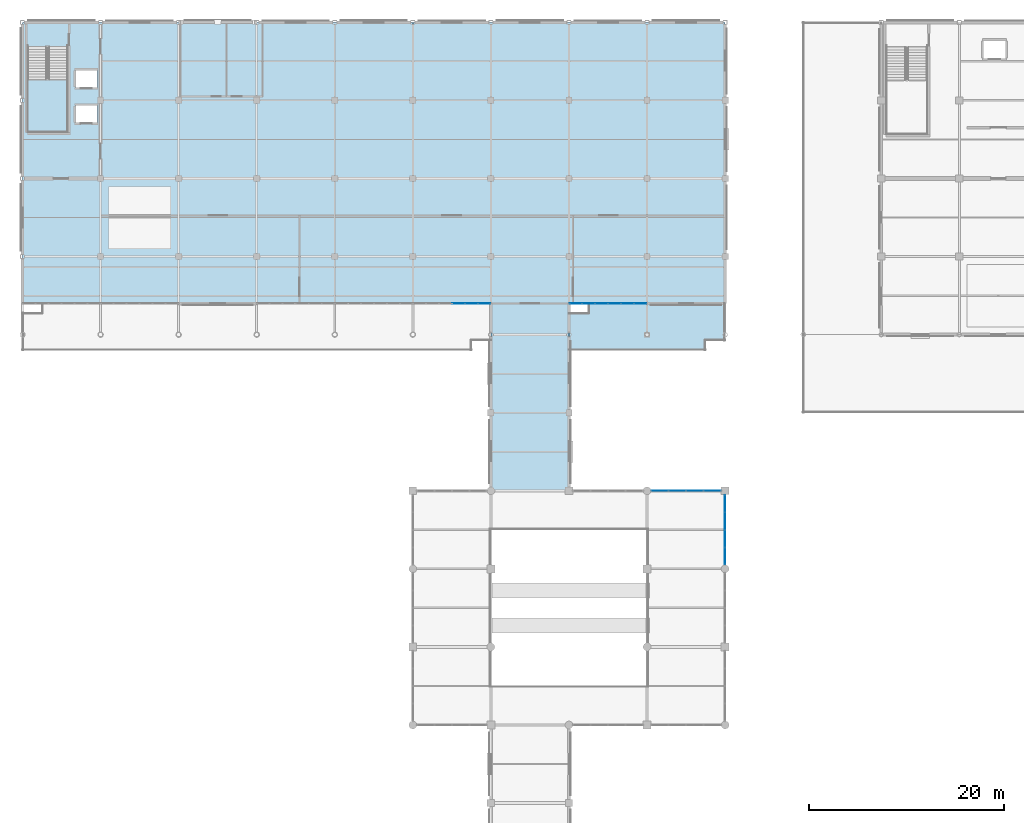
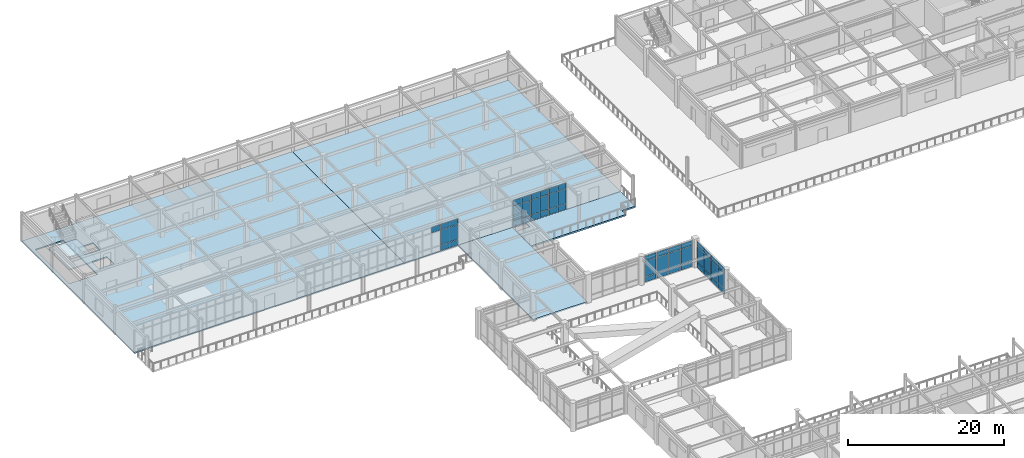
# One storey, part 52 of 75: 49 plates, 5 slabs, 5 elements without a shape of their own.
"""IFC4 building model written with IfcOpenShell, lengths in metres."""

from ifc_helpers import new_model, si_unit, direction, frame, origin, origin_2d, place, context, subcontext, project, spatial, polyline, rectangle, outline, extrude, material, layer, layer_set, type_object, element, aggregate, save


model = new_model("IFC4")

# Units and contexts
model_context = context("Model", 3, precision=1e-05, world=origin(), true_north=direction((0.0, 1.0)))
body_context = subcontext(model_context, "Body", "Model", "MODEL_VIEW")
ifc_project = project(units=[si_unit("LENGTHUNIT", "METRE"), si_unit("AREAUNIT", "SQUARE_METRE"), si_unit("VOLUMEUNIT", "CUBIC_METRE"), si_unit("PLANEANGLEUNIT", "RADIAN"), si_unit("MASSUNIT", "GRAM", prefix="KILO")], contexts=[model_context])

# Site, building, storey
site_placement = place(None, origin())
site = spatial("IfcSite", under=ifc_project, at=site_placement, CompositionType="ELEMENT")
building_placement = place(site_placement, origin())
building = spatial("IfcBuilding", under=site, at=building_placement, Name="Solmirada Galleria", CompositionType="ELEMENT")
storey_placement = place(building_placement, frame((0.0, 0.0, 19.39990234375)))
storey = spatial("IfcBuildingStorey", under=building, at=storey_placement, Name="L04", CompositionType="ELEMENT", Elevation=19.39990234375)

# Curtain wall, plates
ifc_material_1 = material(Name="Impact-resistant low-E double glazing", Category="glass")
curtain_wall_type_1 = type_object("IfcCurtainWallType", Name="CW-FZ3-L04-B4-L072", PredefinedType="NOTDEFINED", material=ifc_material_1)
curtain_wall_1_placement = place(storey_placement, origin())
curtain_wall_1 = element("IfcCurtainWall", 1, at=curtain_wall_1_placement, inside=storey, type_object=curtain_wall_type_1, Name="Terrace and arcade storefront CW-L04-153", PredefinedType="NOTDEFINED")
ifc_layer_1 = layer(ifc_material_1, 0.0419921875)
ifc_layer_set_1 = layer_set([ifc_layer_1], Name="Impact-resistant low-E double glazing")
plate_type_1 = type_object("IfcPlateType", Name="CW-PNL-CW30-T42", PredefinedType="CURTAIN_PANEL", material=ifc_layer_set_1)
plate_1_placement = place(storey_placement, frame((105.31640625, 72.0, 0.06005859375), z_axis=(0.0, 0.0, 1.0), x_axis=(1.0, 0.0, 0.0)))
plate_1 = element("IfcPlate", 2, at=plate_1_placement, type_object=plate_type_1, Name="CW30 panel 1.1", PredefinedType="CURTAIN_PANEL", context=body_context, shape_type="SweptSolid", body=[
    extrude(rectangle(XDim=1.708984375, YDim=0.0419921875, at=origin_2d()), origin(), (0.0, 0.0, 1.0), 0.7900390625),
])
plate_2_placement = place(storey_placement, frame((105.31640625, 72.0, 0.91015625), z_axis=(0.0, 0.0, 1.0), x_axis=(1.0, 0.0, 0.0)))
plate_2 = element("IfcPlate", 3, at=plate_2_placement, type_object=plate_type_1, Name="CW30 panel 1.2", PredefinedType="CURTAIN_PANEL", context=body_context, shape_type="SweptSolid", body=[
    extrude(rectangle(XDim=1.708984375, YDim=0.0419921875, at=origin_2d()), origin(), (0.0, 0.0, 1.0), 2.39990234375),
])
plate_3_placement = place(storey_placement, frame((105.31640625, 72.0, 3.3701171875), z_axis=(0.0, 0.0, 1.0), x_axis=(1.0, 0.0, 0.0)))
plate_3 = element("IfcPlate", 4, at=plate_3_placement, type_object=plate_type_1, Name="CW30 panel 1.3", PredefinedType="CURTAIN_PANEL", context=body_context, shape_type="SweptSolid", body=[
    extrude(rectangle(XDim=1.708984375, YDim=0.0419921875, at=origin_2d()), origin(), (0.0, 0.0, 1.0), 0.7900390625),
])
plate_4_placement = place(storey_placement, frame((107.1005859375, 72.0, 0.06005859375), z_axis=(0.0, 0.0, 1.0), x_axis=(1.0, 0.0, 0.0)))
plate_4 = element("IfcPlate", 5, at=plate_4_placement, type_object=plate_type_1, Name="CW30 panel 2.1", PredefinedType="CURTAIN_PANEL", context=body_context, shape_type="SweptSolid", body=[
    extrude(rectangle(XDim=1.739013671875, YDim=0.0419921875, at=origin_2d()), origin(), (0.0, 0.0, 1.0), 0.7900390625),
])
plate_5_placement = place(storey_placement, frame((107.1005859375, 72.0, 0.91015625), z_axis=(0.0, 0.0, 1.0), x_axis=(1.0, 0.0, 0.0)))
plate_5 = element("IfcPlate", 6, at=plate_5_placement, type_object=plate_type_1, Name="CW30 panel 2.2", PredefinedType="CURTAIN_PANEL", context=body_context, shape_type="SweptSolid", body=[
    extrude(rectangle(XDim=1.739013671875, YDim=0.0419921875, at=origin_2d()), origin(), (0.0, 0.0, 1.0), 2.39990234375),
])
plate_6_placement = place(storey_placement, frame((107.1005859375, 72.0, 3.3701171875), z_axis=(0.0, 0.0, 1.0), x_axis=(1.0, 0.0, 0.0)))
plate_6 = element("IfcPlate", 7, at=plate_6_placement, type_object=plate_type_1, Name="CW30 panel 2.3", PredefinedType="CURTAIN_PANEL", context=body_context, shape_type="SweptSolid", body=[
    extrude(rectangle(XDim=1.739013671875, YDim=0.0419921875, at=origin_2d()), origin(), (0.0, 0.0, 1.0), 0.7900390625),
])
plate_7_placement = place(storey_placement, frame((108.8994140625, 72.0, 0.06005859375), z_axis=(0.0, 0.0, 1.0), x_axis=(1.0, 0.0, 0.0)))
plate_7 = element("IfcPlate", 8, at=plate_7_placement, type_object=plate_type_1, Name="CW30 panel 3.1", PredefinedType="CURTAIN_PANEL", context=body_context, shape_type="SweptSolid", body=[
    extrude(rectangle(XDim=1.739013671875, YDim=0.0419921875, at=origin_2d()), origin(), (0.0, 0.0, 1.0), 0.7900390625),
])
plate_8_placement = place(storey_placement, frame((108.8994140625, 72.0, 0.91015625), z_axis=(0.0, 0.0, 1.0), x_axis=(1.0, 0.0, 0.0)))
plate_8 = element("IfcPlate", 9, at=plate_8_placement, type_object=plate_type_1, Name="CW30 panel 3.2", PredefinedType="CURTAIN_PANEL", context=body_context, shape_type="SweptSolid", body=[
    extrude(rectangle(XDim=1.739013671875, YDim=0.0419921875, at=origin_2d()), origin(), (0.0, 0.0, 1.0), 2.39990234375),
])
plate_9_placement = place(storey_placement, frame((108.8994140625, 72.0, 3.3701171875), z_axis=(0.0, 0.0, 1.0), x_axis=(1.0, 0.0, 0.0)))
plate_9 = element("IfcPlate", 10, at=plate_9_placement, type_object=plate_type_1, Name="CW30 panel 3.3", PredefinedType="CURTAIN_PANEL", context=body_context, shape_type="SweptSolid", body=[
    extrude(rectangle(XDim=1.739013671875, YDim=0.0419921875, at=origin_2d()), origin(), (0.0, 0.0, 1.0), 0.7900390625),
])
plate_10_placement = place(storey_placement, frame((110.68359375, 72.0, 0.06005859375), z_axis=(0.0, 0.0, 1.0), x_axis=(1.0, 0.0, 0.0)))
plate_10 = element("IfcPlate", 11, at=plate_10_placement, type_object=plate_type_1, Name="CW30 panel 4.1", PredefinedType="CURTAIN_PANEL", context=body_context, shape_type="SweptSolid", body=[
    extrude(rectangle(XDim=1.708984375, YDim=0.0419921875, at=origin_2d()), origin(), (0.0, 0.0, 1.0), 0.7900390625),
])
plate_11_placement = place(storey_placement, frame((110.68359375, 72.0, 0.91015625), z_axis=(0.0, 0.0, 1.0), x_axis=(1.0, 0.0, 0.0)))
plate_11 = element("IfcPlate", 12, at=plate_11_placement, type_object=plate_type_1, Name="CW30 panel 4.2", PredefinedType="CURTAIN_PANEL", context=body_context, shape_type="SweptSolid", body=[
    extrude(rectangle(XDim=1.708984375, YDim=0.0419921875, at=origin_2d()), origin(), (0.0, 0.0, 1.0), 2.39990234375),
])
plate_12_placement = place(storey_placement, frame((110.68359375, 72.0, 3.3701171875), z_axis=(0.0, 0.0, 1.0), x_axis=(1.0, 0.0, 0.0)))
plate_12 = element("IfcPlate", 13, at=plate_12_placement, type_object=plate_type_1, Name="CW30 panel 4.3", PredefinedType="CURTAIN_PANEL", context=body_context, shape_type="SweptSolid", body=[
    extrude(rectangle(XDim=1.708984375, YDim=0.0419921875, at=origin_2d()), origin(), (0.0, 0.0, 1.0), 0.7900390625),
])
aggregate(curtain_wall_1, [plate_1, plate_2, plate_3, plate_4, plate_5, plate_6, plate_7, plate_8, plate_9, plate_10, plate_11, plate_12])

curtain_wall_2_placement = place(storey_placement, origin())
curtain_wall_2 = element("IfcCurtainWall", 14, at=curtain_wall_2_placement, inside=storey, type_object=curtain_wall_type_1, Name="Terrace and arcade storefront CW-L04-154", PredefinedType="NOTDEFINED")
plate_13_placement = place(storey_placement, frame((112.0, 70.68359375, 0.06005859375), z_axis=(0.0, 0.0, 1.0), x_axis=(0.0, -1.0, 0.0)))
plate_13 = element("IfcPlate", 15, at=plate_13_placement, type_object=plate_type_1, Name="CW30 panel 1.1", PredefinedType="CURTAIN_PANEL", context=body_context, shape_type="SweptSolid", body=[
    extrude(rectangle(XDim=1.708984375, YDim=0.0419921875, at=origin_2d()), origin(), (0.0, 0.0, 1.0), 0.7900390625),
])
plate_14_placement = place(storey_placement, frame((112.0, 70.68359375, 0.91015625), z_axis=(0.0, 0.0, 1.0), x_axis=(0.0, -1.0, 0.0)))
plate_14 = element("IfcPlate", 16, at=plate_14_placement, type_object=plate_type_1, Name="CW30 panel 1.2", PredefinedType="CURTAIN_PANEL", context=body_context, shape_type="SweptSolid", body=[
    extrude(rectangle(XDim=1.708984375, YDim=0.0419921875, at=origin_2d()), origin(), (0.0, 0.0, 1.0), 2.39990234375),
])
plate_15_placement = place(storey_placement, frame((112.0, 70.68359375, 3.3701171875), z_axis=(0.0, 0.0, 1.0), x_axis=(0.0, -1.0, 0.0)))
plate_15 = element("IfcPlate", 17, at=plate_15_placement, type_object=plate_type_1, Name="CW30 panel 1.3", PredefinedType="CURTAIN_PANEL", context=body_context, shape_type="SweptSolid", body=[
    extrude(rectangle(XDim=1.708984375, YDim=0.0419921875, at=origin_2d()), origin(), (0.0, 0.0, 1.0), 0.7900390625),
])
plate_16_placement = place(storey_placement, frame((112.0, 68.8994140625, 0.06005859375), z_axis=(0.0, 0.0, 1.0), x_axis=(0.0, -1.0, 0.0)))
plate_16 = element("IfcPlate", 18, at=plate_16_placement, type_object=plate_type_1, Name="CW30 panel 2.1", PredefinedType="CURTAIN_PANEL", context=body_context, shape_type="SweptSolid", body=[
    extrude(rectangle(XDim=1.739013671875, YDim=0.0419921875, at=origin_2d()), origin(), (0.0, 0.0, 1.0), 0.7900390625),
])
plate_17_placement = place(storey_placement, frame((112.0, 68.8994140625, 0.91015625), z_axis=(0.0, 0.0, 1.0), x_axis=(0.0, -1.0, 0.0)))
plate_17 = element("IfcPlate", 19, at=plate_17_placement, type_object=plate_type_1, Name="CW30 panel 2.2", PredefinedType="CURTAIN_PANEL", context=body_context, shape_type="SweptSolid", body=[
    extrude(rectangle(XDim=1.739013671875, YDim=0.0419921875, at=origin_2d()), origin(), (0.0, 0.0, 1.0), 2.39990234375),
])
plate_18_placement = place(storey_placement, frame((112.0, 68.8994140625, 3.3701171875), z_axis=(0.0, 0.0, 1.0), x_axis=(0.0, -1.0, 0.0)))
plate_18 = element("IfcPlate", 20, at=plate_18_placement, type_object=plate_type_1, Name="CW30 panel 2.3", PredefinedType="CURTAIN_PANEL", context=body_context, shape_type="SweptSolid", body=[
    extrude(rectangle(XDim=1.739013671875, YDim=0.0419921875, at=origin_2d()), origin(), (0.0, 0.0, 1.0), 0.7900390625),
])
plate_19_placement = place(storey_placement, frame((112.0, 67.1005859375, 0.06005859375), z_axis=(0.0, 0.0, 1.0), x_axis=(0.0, -1.0, 0.0)))
plate_19 = element("IfcPlate", 21, at=plate_19_placement, type_object=plate_type_1, Name="CW30 panel 3.1", PredefinedType="CURTAIN_PANEL", context=body_context, shape_type="SweptSolid", body=[
    extrude(rectangle(XDim=1.739013671875, YDim=0.0419921875, at=origin_2d()), origin(), (0.0, 0.0, 1.0), 0.7900390625),
])
plate_20_placement = place(storey_placement, frame((112.0, 67.1005859375, 0.91015625), z_axis=(0.0, 0.0, 1.0), x_axis=(0.0, -1.0, 0.0)))
plate_20 = element("IfcPlate", 22, at=plate_20_placement, type_object=plate_type_1, Name="CW30 panel 3.2", PredefinedType="CURTAIN_PANEL", context=body_context, shape_type="SweptSolid", body=[
    extrude(rectangle(XDim=1.739013671875, YDim=0.0419921875, at=origin_2d()), origin(), (0.0, 0.0, 1.0), 2.39990234375),
])
plate_21_placement = place(storey_placement, frame((112.0, 67.1005859375, 3.3701171875), z_axis=(0.0, 0.0, 1.0), x_axis=(0.0, -1.0, 0.0)))
plate_21 = element("IfcPlate", 23, at=plate_21_placement, type_object=plate_type_1, Name="CW30 panel 3.3", PredefinedType="CURTAIN_PANEL", context=body_context, shape_type="SweptSolid", body=[
    extrude(rectangle(XDim=1.739013671875, YDim=0.0419921875, at=origin_2d()), origin(), (0.0, 0.0, 1.0), 0.7900390625),
])
plate_22_placement = place(storey_placement, frame((112.0, 65.31640625, 0.06005859375), z_axis=(0.0, 0.0, 1.0), x_axis=(0.0, -1.0, 0.0)))
plate_22 = element("IfcPlate", 24, at=plate_22_placement, type_object=plate_type_1, Name="CW30 panel 4.1", PredefinedType="CURTAIN_PANEL", context=body_context, shape_type="SweptSolid", body=[
    extrude(rectangle(XDim=1.708984375, YDim=0.0419921875, at=origin_2d()), origin(), (0.0, 0.0, 1.0), 0.7900390625),
])
plate_23_placement = place(storey_placement, frame((112.0, 65.31640625, 0.91015625), z_axis=(0.0, 0.0, 1.0), x_axis=(0.0, -1.0, 0.0)))
plate_23 = element("IfcPlate", 25, at=plate_23_placement, type_object=plate_type_1, Name="CW30 panel 4.2", PredefinedType="CURTAIN_PANEL", context=body_context, shape_type="SweptSolid", body=[
    extrude(rectangle(XDim=1.708984375, YDim=0.0419921875, at=origin_2d()), origin(), (0.0, 0.0, 1.0), 2.39990234375),
])
plate_24_placement = place(storey_placement, frame((112.0, 65.31640625, 3.3701171875), z_axis=(0.0, 0.0, 1.0), x_axis=(0.0, -1.0, 0.0)))
plate_24 = element("IfcPlate", 26, at=plate_24_placement, type_object=plate_type_1, Name="CW30 panel 4.3", PredefinedType="CURTAIN_PANEL", context=body_context, shape_type="SweptSolid", body=[
    extrude(rectangle(XDim=1.708984375, YDim=0.0419921875, at=origin_2d()), origin(), (0.0, 0.0, 1.0), 0.7900390625),
])
aggregate(curtain_wall_2, [plate_13, plate_14, plate_15, plate_16, plate_17, plate_18, plate_19, plate_20, plate_21, plate_22, plate_23, plate_24])

curtain_wall_type_2 = type_object("IfcCurtainWallType", Name="CW-FZ4-L04-B6-L080", PredefinedType="NOTDEFINED", material=ifc_material_1)
curtain_wall_3_placement = place(storey_placement, origin())
curtain_wall_3 = element("IfcCurtainWall", 27, at=curtain_wall_3_placement, inside=storey, type_object=curtain_wall_type_2, Name="Terrace and arcade storefront CW-L04-146", PredefinedType="NOTDEFINED")
ifc_material_2 = material(Name="Ceramic-fritted spandrel glass", Category="glass")
ifc_layer_2 = layer(ifc_material_2, 0.028076171875)
ifc_layer_set_2 = layer_set([ifc_layer_2], Name="Ceramic-fritted spandrel glass")
plate_type_2 = type_object("IfcPlateType", Name="CW-PNL-CW31-T28", PredefinedType="CURTAIN_PANEL", material=ifc_layer_set_2)
plate_25_placement = place(storey_placement, frame((87.318359375, 91.199951171875, 0.06005859375), z_axis=(0.0, 0.0, 1.0), x_axis=(-1.0, 0.0, 0.0)))
plate_25 = element("IfcPlate", 28, at=plate_25_placement, type_object=plate_type_2, Name="CW31 panel 1.1", PredefinedType="CURTAIN_PANEL", context=body_context, shape_type="SweptSolid", body=[
    extrude(rectangle(XDim=1.243408203125, YDim=0.028076171875, at=origin_2d()), origin(), (0.0, 0.0, 1.0), 0.85009765625),
])
plate_26_placement = place(storey_placement, frame((87.318359375, 91.199951171875, 0.969970703125), z_axis=(0.0, 0.0, 1.0), x_axis=(-1.0, 0.0, 0.0)))
plate_26 = element("IfcPlate", 29, at=plate_26_placement, type_object=plate_type_2, Name="CW31 panel 1.2", PredefinedType="CURTAIN_PANEL", context=body_context, shape_type="SweptSolid", body=[
    extrude(rectangle(XDim=1.243408203125, YDim=0.028076171875, at=origin_2d()), origin(), (0.0, 0.0, 1.0), 2.2900390625),
])
plate_27_placement = place(storey_placement, frame((87.318359375, 91.199951171875, 3.31982421875), z_axis=(0.0, 0.0, 1.0), x_axis=(-1.0, 0.0, 0.0)))
plate_27 = element("IfcPlate", 30, at=plate_27_placement, type_object=plate_type_2, Name="CW31 panel 1.3", PredefinedType="CURTAIN_PANEL", context=body_context, shape_type="SweptSolid", body=[
    extrude(rectangle(XDim=1.243408203125, YDim=0.028076171875, at=origin_2d()), origin(), (0.0, 0.0, 1.0), 0.840087890625),
])
plate_28_placement = place(storey_placement, frame((86.0, 91.199951171875, 0.06005859375), z_axis=(0.0, 0.0, 1.0), x_axis=(-1.0, 0.0, 0.0)))
plate_28 = element("IfcPlate", 31, at=plate_28_placement, type_object=plate_type_2, Name="CW31 panel 2.1", PredefinedType="CURTAIN_PANEL", context=body_context, shape_type="SweptSolid", body=[
    extrude(rectangle(XDim=1.2734375, YDim=0.028076171875, at=origin_2d()), origin(), (0.0, 0.0, 1.0), 0.85009765625),
])
plate_29_placement = place(storey_placement, frame((86.0, 91.199951171875, 0.969970703125), z_axis=(0.0, 0.0, 1.0), x_axis=(-1.0, 0.0, 0.0)))
plate_29 = element("IfcPlate", 32, at=plate_29_placement, type_object=plate_type_2, Name="CW31 panel 2.2", PredefinedType="CURTAIN_PANEL", context=body_context, shape_type="SweptSolid", body=[
    extrude(rectangle(XDim=1.2734375, YDim=0.028076171875, at=origin_2d()), origin(), (0.0, 0.0, 1.0), 2.2900390625),
])
plate_30_placement = place(storey_placement, frame((86.0, 91.199951171875, 3.31982421875), z_axis=(0.0, 0.0, 1.0), x_axis=(-1.0, 0.0, 0.0)))
plate_30 = element("IfcPlate", 33, at=plate_30_placement, type_object=plate_type_2, Name="CW31 panel 2.3", PredefinedType="CURTAIN_PANEL", context=body_context, shape_type="SweptSolid", body=[
    extrude(rectangle(XDim=1.2734375, YDim=0.028076171875, at=origin_2d()), origin(), (0.0, 0.0, 1.0), 0.840087890625),
])
plate_31_placement = place(storey_placement, frame((84.666748046875, 91.199951171875, 3.31982421875), z_axis=(0.0, 0.0, 1.0), x_axis=(-1.0, 0.0, 0.0)))
plate_31 = element("IfcPlate", 34, at=plate_31_placement, type_object=plate_type_2, Name="CW31 panel 3.3", PredefinedType="CURTAIN_PANEL", context=body_context, shape_type="SweptSolid", body=[
    extrude(rectangle(XDim=1.2734375, YDim=0.028076171875, at=origin_2d()), origin(), (0.0, 0.0, 1.0), 0.840087890625),
])
aggregate(curtain_wall_3, [plate_25, plate_26, plate_27, plate_28, plate_29, plate_30, plate_31])

curtain_wall_4_placement = place(storey_placement, origin())
curtain_wall_4 = element("IfcCurtainWall", 35, at=curtain_wall_4_placement, inside=storey, type_object=curtain_wall_type_2, Name="Terrace and arcade storefront CW-L04-151", PredefinedType="NOTDEFINED")
plate_32_placement = place(storey_placement, frame((103.318359375, 91.199951171875, 0.06005859375), z_axis=(0.0, 0.0, 1.0), x_axis=(-1.0, 0.0, 0.0)))
plate_32 = element("IfcPlate", 36, at=plate_32_placement, type_object=plate_type_2, Name="CW31 panel 1.1", PredefinedType="CURTAIN_PANEL", context=body_context, shape_type="SweptSolid", body=[
    extrude(rectangle(XDim=1.243408203125, YDim=0.028076171875, at=origin_2d()), origin(), (0.0, 0.0, 1.0), 0.85009765625),
])
plate_33_placement = place(storey_placement, frame((103.318359375, 91.199951171875, 0.969970703125), z_axis=(0.0, 0.0, 1.0), x_axis=(-1.0, 0.0, 0.0)))
plate_33 = element("IfcPlate", 37, at=plate_33_placement, type_object=plate_type_2, Name="CW31 panel 1.2", PredefinedType="CURTAIN_PANEL", context=body_context, shape_type="SweptSolid", body=[
    extrude(rectangle(XDim=1.243408203125, YDim=0.028076171875, at=origin_2d()), origin(), (0.0, 0.0, 1.0), 2.2900390625),
])
plate_34_placement = place(storey_placement, frame((103.318359375, 91.199951171875, 3.31982421875), z_axis=(0.0, 0.0, 1.0), x_axis=(-1.0, 0.0, 0.0)))
plate_34 = element("IfcPlate", 38, at=plate_34_placement, type_object=plate_type_2, Name="CW31 panel 1.3", PredefinedType="CURTAIN_PANEL", context=body_context, shape_type="SweptSolid", body=[
    extrude(rectangle(XDim=1.243408203125, YDim=0.028076171875, at=origin_2d()), origin(), (0.0, 0.0, 1.0), 0.840087890625),
])
plate_35_placement = place(storey_placement, frame((102.0, 91.199951171875, 0.06005859375), z_axis=(0.0, 0.0, 1.0), x_axis=(-1.0, 0.0, 0.0)))
plate_35 = element("IfcPlate", 39, at=plate_35_placement, type_object=plate_type_2, Name="CW31 panel 2.1", PredefinedType="CURTAIN_PANEL", context=body_context, shape_type="SweptSolid", body=[
    extrude(rectangle(XDim=1.2734375, YDim=0.028076171875, at=origin_2d()), origin(), (0.0, 0.0, 1.0), 0.85009765625),
])
plate_36_placement = place(storey_placement, frame((102.0, 91.199951171875, 0.969970703125), z_axis=(0.0, 0.0, 1.0), x_axis=(-1.0, 0.0, 0.0)))
plate_36 = element("IfcPlate", 40, at=plate_36_placement, type_object=plate_type_2, Name="CW31 panel 2.2", PredefinedType="CURTAIN_PANEL", context=body_context, shape_type="SweptSolid", body=[
    extrude(rectangle(XDim=1.2734375, YDim=0.028076171875, at=origin_2d()), origin(), (0.0, 0.0, 1.0), 2.2900390625),
])
plate_37_placement = place(storey_placement, frame((102.0, 91.199951171875, 3.31982421875), z_axis=(0.0, 0.0, 1.0), x_axis=(-1.0, 0.0, 0.0)))
plate_37 = element("IfcPlate", 41, at=plate_37_placement, type_object=plate_type_2, Name="CW31 panel 2.3", PredefinedType="CURTAIN_PANEL", context=body_context, shape_type="SweptSolid", body=[
    extrude(rectangle(XDim=1.2734375, YDim=0.028076171875, at=origin_2d()), origin(), (0.0, 0.0, 1.0), 0.840087890625),
])
plate_38_placement = place(storey_placement, frame((100.666748046875, 91.199951171875, 0.06005859375), z_axis=(0.0, 0.0, 1.0), x_axis=(-1.0, 0.0, 0.0)))
plate_38 = element("IfcPlate", 42, at=plate_38_placement, type_object=plate_type_2, Name="CW31 panel 3.1", PredefinedType="CURTAIN_PANEL", context=body_context, shape_type="SweptSolid", body=[
    extrude(rectangle(XDim=1.2734375, YDim=0.028076171875, at=origin_2d()), origin(), (0.0, 0.0, 1.0), 0.85009765625),
])
plate_39_placement = place(storey_placement, frame((100.666748046875, 91.199951171875, 0.969970703125), z_axis=(0.0, 0.0, 1.0), x_axis=(-1.0, 0.0, 0.0)))
plate_39 = element("IfcPlate", 43, at=plate_39_placement, type_object=plate_type_2, Name="CW31 panel 3.2", PredefinedType="CURTAIN_PANEL", context=body_context, shape_type="SweptSolid", body=[
    extrude(rectangle(XDim=1.2734375, YDim=0.028076171875, at=origin_2d()), origin(), (0.0, 0.0, 1.0), 2.2900390625),
])
plate_40_placement = place(storey_placement, frame((100.666748046875, 91.199951171875, 3.31982421875), z_axis=(0.0, 0.0, 1.0), x_axis=(-1.0, 0.0, 0.0)))
plate_40 = element("IfcPlate", 44, at=plate_40_placement, type_object=plate_type_2, Name="CW31 panel 3.3", PredefinedType="CURTAIN_PANEL", context=body_context, shape_type="SweptSolid", body=[
    extrude(rectangle(XDim=1.2734375, YDim=0.028076171875, at=origin_2d()), origin(), (0.0, 0.0, 1.0), 0.840087890625),
])
plate_41_placement = place(storey_placement, frame((99.333251953125, 91.199951171875, 0.06005859375), z_axis=(0.0, 0.0, 1.0), x_axis=(-1.0, 0.0, 0.0)))
plate_41 = element("IfcPlate", 45, at=plate_41_placement, type_object=plate_type_2, Name="CW31 panel 4.1", PredefinedType="CURTAIN_PANEL", context=body_context, shape_type="SweptSolid", body=[
    extrude(rectangle(XDim=1.2734375, YDim=0.028076171875, at=origin_2d()), origin(), (0.0, 0.0, 1.0), 0.85009765625),
])
plate_42_placement = place(storey_placement, frame((99.333251953125, 91.199951171875, 0.969970703125), z_axis=(0.0, 0.0, 1.0), x_axis=(-1.0, 0.0, 0.0)))
plate_42 = element("IfcPlate", 46, at=plate_42_placement, type_object=plate_type_2, Name="CW31 panel 4.2", PredefinedType="CURTAIN_PANEL", context=body_context, shape_type="SweptSolid", body=[
    extrude(rectangle(XDim=1.2734375, YDim=0.028076171875, at=origin_2d()), origin(), (0.0, 0.0, 1.0), 2.2900390625),
])
plate_43_placement = place(storey_placement, frame((99.333251953125, 91.199951171875, 3.31982421875), z_axis=(0.0, 0.0, 1.0), x_axis=(-1.0, 0.0, 0.0)))
plate_43 = element("IfcPlate", 47, at=plate_43_placement, type_object=plate_type_2, Name="CW31 panel 4.3", PredefinedType="CURTAIN_PANEL", context=body_context, shape_type="SweptSolid", body=[
    extrude(rectangle(XDim=1.2734375, YDim=0.028076171875, at=origin_2d()), origin(), (0.0, 0.0, 1.0), 0.840087890625),
])
plate_44_placement = place(storey_placement, frame((98.0, 91.199951171875, 0.06005859375), z_axis=(0.0, 0.0, 1.0), x_axis=(-1.0, 0.0, 0.0)))
plate_44 = element("IfcPlate", 48, at=plate_44_placement, type_object=plate_type_2, Name="CW31 panel 5.1", PredefinedType="CURTAIN_PANEL", context=body_context, shape_type="SweptSolid", body=[
    extrude(rectangle(XDim=1.2734375, YDim=0.028076171875, at=origin_2d()), origin(), (0.0, 0.0, 1.0), 0.85009765625),
])
plate_45_placement = place(storey_placement, frame((98.0, 91.199951171875, 0.969970703125), z_axis=(0.0, 0.0, 1.0), x_axis=(-1.0, 0.0, 0.0)))
plate_45 = element("IfcPlate", 49, at=plate_45_placement, type_object=plate_type_2, Name="CW31 panel 5.2", PredefinedType="CURTAIN_PANEL", context=body_context, shape_type="SweptSolid", body=[
    extrude(rectangle(XDim=1.2734375, YDim=0.028076171875, at=origin_2d()), origin(), (0.0, 0.0, 1.0), 2.2900390625),
])
plate_46_placement = place(storey_placement, frame((98.0, 91.199951171875, 3.31982421875), z_axis=(0.0, 0.0, 1.0), x_axis=(-1.0, 0.0, 0.0)))
plate_46 = element("IfcPlate", 50, at=plate_46_placement, type_object=plate_type_2, Name="CW31 panel 5.3", PredefinedType="CURTAIN_PANEL", context=body_context, shape_type="SweptSolid", body=[
    extrude(rectangle(XDim=1.2734375, YDim=0.028076171875, at=origin_2d()), origin(), (0.0, 0.0, 1.0), 0.840087890625),
])
plate_47_placement = place(storey_placement, frame((96.681640625, 91.199951171875, 0.06005859375), z_axis=(0.0, 0.0, 1.0), x_axis=(-1.0, 0.0, 0.0)))
plate_47 = element("IfcPlate", 51, at=plate_47_placement, type_object=plate_type_2, Name="CW31 panel 6.1", PredefinedType="CURTAIN_PANEL", context=body_context, shape_type="SweptSolid", body=[
    extrude(rectangle(XDim=1.243408203125, YDim=0.028076171875, at=origin_2d()), origin(), (0.0, 0.0, 1.0), 0.85009765625),
])
plate_48_placement = place(storey_placement, frame((96.681640625, 91.199951171875, 0.969970703125), z_axis=(0.0, 0.0, 1.0), x_axis=(-1.0, 0.0, 0.0)))
plate_48 = element("IfcPlate", 52, at=plate_48_placement, type_object=plate_type_2, Name="CW31 panel 6.2", PredefinedType="CURTAIN_PANEL", context=body_context, shape_type="SweptSolid", body=[
    extrude(rectangle(XDim=1.243408203125, YDim=0.028076171875, at=origin_2d()), origin(), (0.0, 0.0, 1.0), 2.2900390625),
])
plate_49_placement = place(storey_placement, frame((96.681640625, 91.199951171875, 3.31982421875), z_axis=(0.0, 0.0, 1.0), x_axis=(-1.0, 0.0, 0.0)))
plate_49 = element("IfcPlate", 53, at=plate_49_placement, type_object=plate_type_2, Name="CW31 panel 6.3", PredefinedType="CURTAIN_PANEL", context=body_context, shape_type="SweptSolid", body=[
    extrude(rectangle(XDim=1.243408203125, YDim=0.028076171875, at=origin_2d()), origin(), (0.0, 0.0, 1.0), 0.840087890625),
])
aggregate(curtain_wall_4, [plate_32, plate_33, plate_34, plate_35, plate_36, plate_37, plate_38, plate_39, plate_40, plate_41, plate_42, plate_43, plate_44, plate_45, plate_46, plate_47, plate_48, plate_49])

# Slabs
ifc_material_3 = material(Name="Concrete C35/45", Category="concrete")
ifc_layer_3 = layer(ifc_material_3, 0.199951171875)
ifc_layer_set_3 = layer_set([ifc_layer_3], Name="Concrete C35/45")
slab_type_1 = type_object("IfcSlabType", Name="SLB-FLOOR-200", PredefinedType="FLOOR", material=ifc_layer_set_3)
slab_1_placement = place(storey_placement, frame((0.0, 0.0, -0.199951171875)))
element("IfcSlab", 54, at=slab_1_placement, inside=storey, type_object=slab_type_1, Name="Slab L04-NORTH-W", PredefinedType="FLOOR", context=body_context, shape_type="SweptSolid", body=[
    extrude(outline(polyline([(40.0, 91.199951171875), (80.0, 91.199951171875), (80.0, 120.0), (40.0, 120.0), (40.0, 91.199951171875)]), holes=[polyline([(40.5, 108.699951171875), (44.64990234375, 108.699951171875), (44.64990234375, 117.5), (40.5, 117.5), (40.5, 108.699951171875)]), polyline([(45.425048828125, 113.300048828125), (47.675048828125, 113.300048828125), (47.675048828125, 115.10009765625), (45.425048828125, 115.10009765625), (45.425048828125, 113.300048828125)]), polyline([(45.425048828125, 109.699951171875), (47.675048828125, 109.699951171875), (47.675048828125, 111.5), (45.425048828125, 111.5), (45.425048828125, 109.699951171875)])]), origin(), (0.0, 0.0, 1.0), 0.199951171875),
])
slab_2_placement = place(storey_placement, frame((0.0, 0.0, -0.199951171875)))
element("IfcSlab", 55, at=slab_2_placement, inside=storey, type_object=slab_type_1, Name="Slab L04-NORTH-E", PredefinedType="FLOOR", context=body_context, shape_type="SweptSolid", body=[
    extrude(outline(polyline([(80.0, 91.199951171875), (112.0, 91.199951171875), (112.0, 120.0), (80.0, 120.0), (80.0, 91.199951171875)])), origin(), (0.0, 0.0, 1.0), 0.199951171875),
])
slab_3_placement = place(storey_placement, frame((0.0, 0.0, -0.199951171875)))
element("IfcSlab", 56, at=slab_3_placement, inside=storey, type_object=slab_type_1, Name="Slab L04-BRG-N", PredefinedType="FLOOR", context=body_context, shape_type="SweptSolid", body=[
    extrude(outline(polyline([(88.0, 72.0), (96.0, 72.0), (96.0, 91.199951171875), (88.0, 91.199951171875), (88.0, 72.0)])), origin(), (0.0, 0.0, 1.0), 0.199951171875),
])

# Stair, slab
stair_type = type_object("IfcStairType", Name="STR-DOG-200-H45", PredefinedType="HALF_TURN_STAIR", material=ifc_material_3)
stair_placement = place(storey_placement, origin())
stair = element("IfcStair", 57, at=stair_placement, inside=storey, type_object=stair_type, Name="L04 Northwest Sales Core Exit Stair ST1", PredefinedType="HALF_TURN_STAIR")
ifc_layer_4 = layer(ifc_material_3, 0.199951171875)
ifc_layer_set_4 = layer_set([ifc_layer_4], Name="Concrete C35/45")
slab_type_2 = type_object("IfcSlabType", Name="SLB-LAND-200", PredefinedType="LANDING", material=ifc_layer_set_4)
slab_4_placement = place(storey_placement, frame((0.0, 0.0, 2.050048828125)))
slab_4 = element("IfcSlab", 58, at=slab_4_placement, type_object=slab_type_2, Name="ST1 landing 1", PredefinedType="LANDING", context=body_context, shape_type="SweptSolid", body=[
    extrude(outline(polyline([(40.5, 114.139892578125), (40.5, 108.699951171875), (44.64990234375, 108.699951171875), (44.64990234375, 114.139892578125), (40.5, 114.139892578125)])), origin(), (0.0, 0.0, 1.0), 0.199951171875),
])
aggregate(stair, [slab_4])

# Slab
ifc_layer_5 = layer(ifc_material_3, 0.239990234375)
ifc_layer_set_5 = layer_set([ifc_layer_5], Name="Concrete C35/45")
slab_type_3 = type_object("IfcSlabType", Name="SLB-TERR-240", PredefinedType="FLOOR", material=ifc_layer_set_5)
slab_5_placement = place(storey_placement, frame((0.0, 0.0, -0.239990234375)))
element("IfcSlab", 59, at=slab_5_placement, inside=storey, type_object=slab_type_3, Name="Slab L04-TERR-NE", PredefinedType="FLOOR", context=body_context, shape_type="SweptSolid", body=[
    extrude(outline(polyline([(96.0, 86.39990234375), (110.0, 86.39990234375), (110.0, 87.39990234375), (112.0, 87.39990234375), (112.0, 91.199951171875), (98.0, 91.199951171875), (98.0, 90.199951171875), (96.0, 90.199951171875), (96.0, 86.39990234375)])), origin(), (0.0, 0.0, 1.0), 0.239990234375),
])

save(model, "model.ifc")
